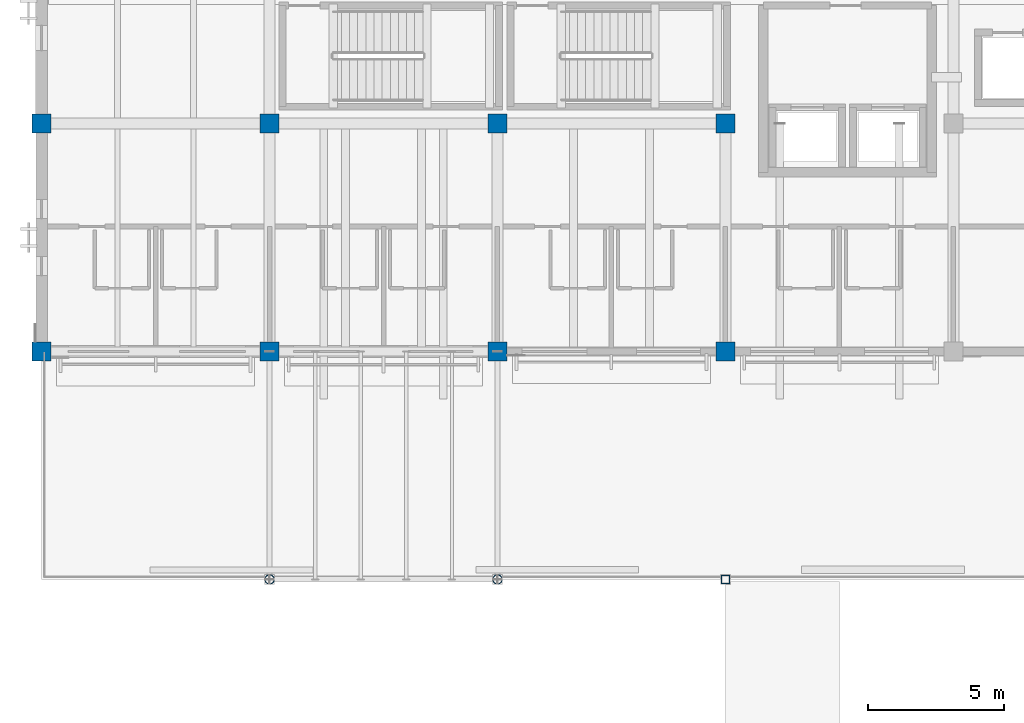
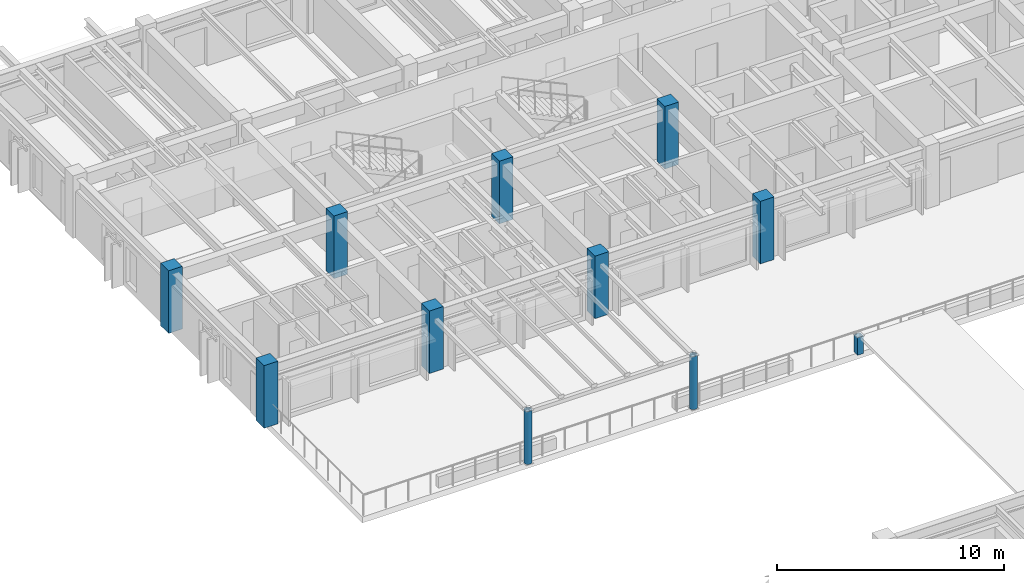
# One storey, part 2 of 111: 11 columns.
"""IFC4 building model written with IfcOpenShell, lengths in metres."""

from ifc_helpers import new_model, si_unit, direction, frame, origin, origin_2d, place, context, subcontext, project, spatial, rectangle, hollow_rectangle, hollow_circle, extrude, material, material_profile, profile_set, type_object, element, save


model = new_model("IFC4")

# Units and contexts
model_context = context("Model", 3, precision=1e-05, world=origin(), true_north=direction((0.0, 1.0)))
body_context = subcontext(model_context, "Body", "Model", "MODEL_VIEW")
ifc_project = project(units=[si_unit("LENGTHUNIT", "METRE"), si_unit("AREAUNIT", "SQUARE_METRE"), si_unit("VOLUMEUNIT", "CUBIC_METRE"), si_unit("PLANEANGLEUNIT", "RADIAN"), si_unit("MASSUNIT", "GRAM", prefix="KILO")], contexts=[model_context])

# Site, building, storey
site_placement = place(None, origin())
site = spatial("IfcSite", under=ifc_project, at=site_placement, CompositionType="ELEMENT")
building_placement = place(site_placement, origin())
building = spatial("IfcBuilding", under=site, at=building_placement, Name="Cumbredor Promenade Congress Hotel", CompositionType="ELEMENT")
storey_placement = place(building_placement, frame((0.0, 0.0, 15.1201171875)))
storey = spatial("IfcBuildingStorey", under=building, at=storey_placement, Name="L04", CompositionType="ELEMENT", Elevation=15.1201171875)

# Columns
ifc_material_1 = material(Name="Concrete C40/50", Category="concrete")
ifc_material_profile_1 = material_profile(ifc_material_1, rectangle(XDim=0.699951171875, YDim=0.699951171875, at=origin_2d()), Name="RC 700x700")
ifc_profile_set_1 = profile_set([ifc_material_profile_1], Name="Concrete C40/50")
column_type_1 = type_object("IfcColumnType", Name="COL-RC-700", PredefinedType="COLUMN", material=ifc_profile_set_1)
for number, where, z_axis, x_axis, name in (
    (1, (0.0, 92.39990234375, 0.0), (0.0, 0.0, 1.0), (1.0, 0.0, 0.0), "L04 Structural Column 001"),
    (2, (0.0, 100.800048828125, 0.0), (0.0, 0.0, 1.0), (1.0, 0.0, 0.0), "L04 Structural Column 002"),
    (3, (8.39990234375, 92.39990234375, 0.0), (0.0, 0.0, 1.0), (1.0, 0.0, 0.0), "L04 Structural Column 013"),
    (4, (8.39990234375, 100.800048828125, 0.0), (0.0, 0.0, 1.0), (1.0, 0.0, 0.0), "L04 Structural Column 014"),
    (5, (16.800048828125, 92.39990234375, 0.0), (0.0, 0.0, 1.0), (1.0, 0.0, 0.0), "L04 Structural Column 025"),
    (6, (16.800048828125, 100.800048828125, 0.0), (0.0, 0.0, 1.0), (1.0, 0.0, 0.0), "L04 Structural Column 026"),
    (7, (25.199951171875, 92.39990234375, 0.0), (0.0, 0.0, 1.0), (1.0, 0.0, 0.0), "L04 Structural Column 033"),
    (8, (25.199951171875, 100.800048828125, 0.0), (0.0, 0.0, 1.0), (1.0, 0.0, 0.0), "L04 Structural Column 034"),
):
    element("IfcColumn", number, at=place(storey_placement, frame(where, z_axis=z_axis, x_axis=x_axis)), inside=storey, type_object=column_type_1, Name=name, PredefinedType="COLUMN", context=body_context, shape_type="SweptSolid", body=[
        extrude(rectangle(XDim=0.699951171875, YDim=0.699951171875, at=origin_2d()), origin(), (0.0, 0.0, 1.0), 3.35986328125),
    ])
ifc_material_2 = material(Name="Steel ASTM A500 Grade C", Category="steel")
ifc_material_profile_2 = material_profile(ifc_material_2, hollow_circle(Radius=0.177734375, WallThickness=0.01611328125, at=origin_2d()), Name="CHS 355.6x16")
ifc_profile_set_2 = profile_set([ifc_material_profile_2], Name="Steel ASTM A500 Grade C")
column_type_2 = type_object("IfcColumnType", Name="COL-STL-CHS355", PredefinedType="COLUMN", material=ifc_profile_set_2)
for number, where, z_axis, x_axis, name in (
    (9, (8.39990234375, 84.0, 0.0048828125), (0.0, 0.0, 1.0), (1.0, 0.0, 0.0), "L04 Sky-Garden Pergola Post 1.1"),
    (10, (16.800048828125, 84.0, 0.0048828125), (0.0, 0.0, 1.0), (1.0, 0.0, 0.0), "L04 Sky-Garden Pergola Post 1.3"),
):
    element("IfcColumn", number, at=place(storey_placement, frame(where, z_axis=z_axis, x_axis=x_axis)), inside=storey, type_object=column_type_2, Name=name, PredefinedType="COLUMN", context=body_context, shape_type="SweptSolid", body=[
        extrude(hollow_circle(Radius=0.177734375, WallThickness=0.01611328125, at=origin_2d()), origin(), (0.0, 0.0, 1.0), 2.844970703125),
    ])
ifc_material_profile_3 = material_profile(ifc_material_2, hollow_rectangle(XDim=0.300048828125, YDim=0.300048828125, WallThickness=0.01611328125, at=origin_2d()), Name="HSS 300x300x16")
ifc_profile_set_3 = profile_set([ifc_material_profile_3], Name="Steel ASTM A500 Grade C")
column_type_3 = type_object("IfcColumnType", Name="COL-STL-HSS300", PredefinedType="COLUMN", material=ifc_profile_set_3)
column_placement = place(storey_placement, frame((25.199951171875, 84.0, 0.0), z_axis=(0.0, 0.0, 1.0), x_axis=(1.0, 0.0, 0.0)))
element("IfcColumn", 11, at=column_placement, inside=storey, type_object=column_type_3, Name="West Congress-to-Hotel Glazed Bridge Canopy Extension Post 3", PredefinedType="COLUMN", context=body_context, shape_type="SweptSolid", body=[
    extrude(hollow_rectangle(XDim=0.300048828125, YDim=0.300048828125, WallThickness=0.01611328125, at=origin_2d()), origin(), (0.0, 0.0, 1.0), 0.949951171875),
])

save(model, "model.ifc")
